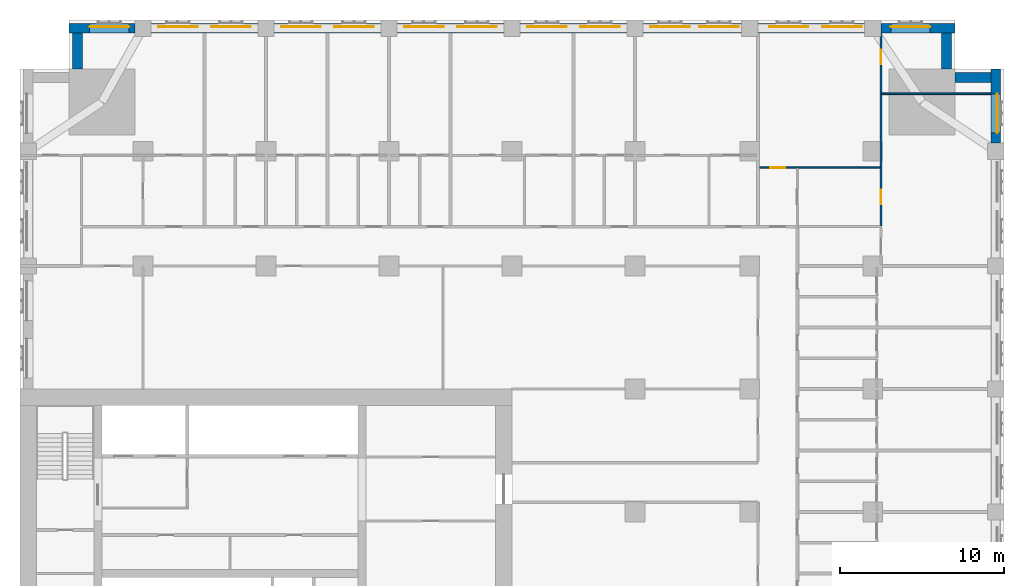
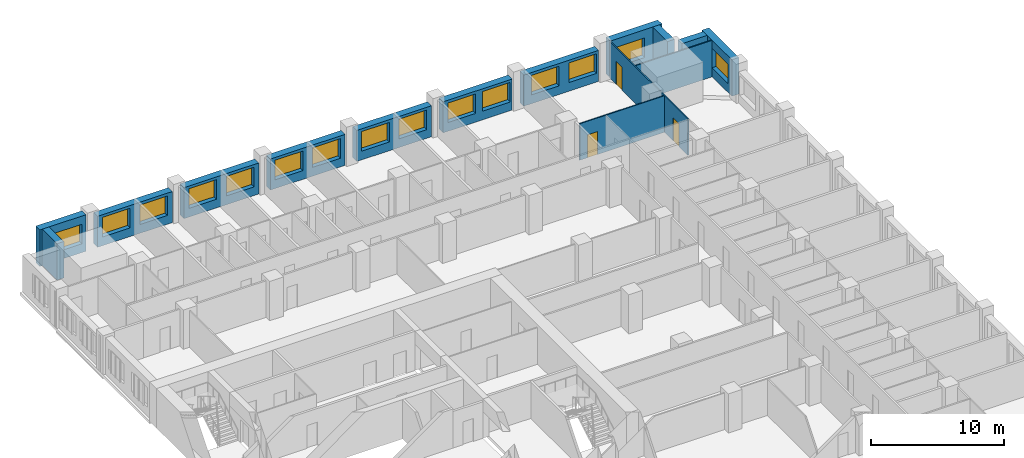
# One storey, part 12 of 15: 15 walls, 15 windows, 3 doors, 18 openings.
"""IFC4 building model written with IfcOpenShell, lengths in metres."""

from ifc_helpers import new_model, si_unit, direction, frame, frame_2d, origin, place, context, subcontext, project, spatial, rectangle, extrude, material, layer, layer_set, type_object, element, fill, save


model = new_model("IFC4")

# Units and contexts
model_context = context("Model", 3, precision=1e-05, world=origin(), true_north=direction((0.0, 1.0)))
body_context = subcontext(model_context, "Body", "Model", "MODEL_VIEW")
ifc_project = project(units=[si_unit("LENGTHUNIT", "METRE"), si_unit("AREAUNIT", "SQUARE_METRE"), si_unit("VOLUMEUNIT", "CUBIC_METRE"), si_unit("PLANEANGLEUNIT", "RADIAN"), si_unit("MASSUNIT", "GRAM", prefix="KILO")], contexts=[model_context])

# Site, building, storey
site_placement = place(None, origin())
site = spatial("IfcSite", under=ifc_project, at=site_placement, CompositionType="ELEMENT")
building_placement = place(site_placement, origin())
building = spatial("IfcBuilding", under=site, at=building_placement, Name="Tamorin Gate", CompositionType="ELEMENT")
storey_placement = place(building_placement, frame((0.0, 0.0, 48.39990234375)))
storey = spatial("IfcBuildingStorey", under=building, at=storey_placement, Name="L10", CompositionType="ELEMENT", Elevation=48.39990234375)

# Wall, opening, window
ifc_material_1 = material(Name="Precast concrete C40/50", Category="concrete")
ifc_layer_1 = layer(ifc_material_1, 0.60009765625)
ifc_layer_set_1 = layer_set([ifc_layer_1], Name="Precast concrete C40/50")
wall_type_1 = type_object("IfcWallType", Name="Board-marked concrete facade panel 600", PredefinedType="SOLIDWALL", material=ifc_layer_set_1)
wall_1_placement = place(storey_placement, frame((89.5, 97.5, 0.0), z_axis=(0.0, 0.0, 1.0), x_axis=(0.0, 1.0, 0.0)))
wall_1 = element("IfcWall", 1, at=wall_1_placement, inside=storey, type_object=wall_type_1, Name="Facade panel", PredefinedType="SOLIDWALL", context=body_context, shape_type="SweptSolid", body=[
    extrude(rectangle(XDim=4.5, YDim=0.60009765625, at=frame_2d((2.25, 0.0))), origin(), (0.0, 0.0, 1.0), 3.35009765625),
])
opening_1_placement = place(wall_1_placement, frame((0.60009765625, 0.0, 0.800048828125)))
opening_1 = element("IfcOpeningElement", 2, at=opening_1_placement, cuts=wall_1, Name="Opening WN1", PredefinedType="OPENING", context=body_context, shape_type="SweptSolid", body=[
    extrude(rectangle(XDim=2.39990234375, YDim=1.800048828125, at=frame_2d((1.199951171875, 0.89990234375))), frame((0.0, 0.31005859375, 0.0), z_axis=(0.0, -1.0, 0.0), x_axis=(1.0, 0.0, 0.0)), (0.0, 0.0, 1.0), 0.6201171875),
])
ifc_material_2 = material(Name="Clear glass in aluminium frame", Category="aluminium")
window_type = type_object("IfcWindowType", Name="Deep-set window 2400x1800", PartitioningType="SINGLE_PANEL", PredefinedType="WINDOW", material=ifc_material_2)
window_1_placement = place(opening_1_placement, origin())
window_1 = element("IfcWindow", 3, at=window_1_placement, inside=storey, type_object=window_type, Name="Deep-set window", OverallHeight=1.800048828125, OverallWidth=2.39990234375, PartitioningType="SINGLE_PANEL", PredefinedType="WINDOW", context=body_context, shape_type="SweptSolid", body=[
    extrude(rectangle(XDim=2.39990234375, YDim=1.800048828125, at=frame_2d((1.199951171875, 0.89990234375))), frame((0.0, -0.070068359375, 0.0), z_axis=(0.0, -1.0, 0.0), x_axis=(1.0, 0.0, 0.0)), (0.0, 0.0, 1.0), 0.06005859375),
])
fill(opening_1, window_1)

# Walls
for number, where, z_axis, x_axis, name in (
    (4, (89.199951171875, 101.5, 0.0), (0.0, 0.0, 1.0), (-1.0, 0.0, 0.0), "Facade panel"),
    (5, (86.5, 102.0, 0.0), (0.0, 0.0, 1.0), (0.0, 1.0, 0.0), "Facade panel"),
):
    element("IfcWall", number, at=place(storey_placement, frame(where, z_axis=z_axis, x_axis=x_axis)), inside=storey, type_object=wall_type_1, Name=name, PredefinedType="SOLIDWALL", context=body_context, shape_type="SweptSolid", body=[
        extrude(rectangle(XDim=2.199951171875, YDim=0.60009765625, at=frame_2d((1.10009765625, 0.0))), origin(), (0.0, 0.0, 1.0), 3.35009765625),
    ])

# Wall, opening, window
wall_2_placement = place(storey_placement, frame((87.0, 104.5, 0.0), z_axis=(0.0, 0.0, 1.0), x_axis=(-1.0, 0.0, 0.0)))
wall_2 = element("IfcWall", 6, at=wall_2_placement, inside=storey, type_object=wall_type_1, Name="Facade panel", PredefinedType="SOLIDWALL", context=body_context, shape_type="SweptSolid", body=[
    extrude(rectangle(XDim=4.5, YDim=0.60009765625, at=frame_2d((2.25, 0.0))), origin(), (0.0, 0.0, 1.0), 3.35009765625),
])
opening_2_placement = place(wall_2_placement, frame((1.5, 0.0, 0.800048828125)))
opening_2 = element("IfcOpeningElement", 7, at=opening_2_placement, cuts=wall_2, Name="Opening WN1", PredefinedType="OPENING", context=body_context, shape_type="SweptSolid", body=[
    extrude(rectangle(XDim=2.39990234375, YDim=1.800048828125, at=frame_2d((1.199951171875, 0.89990234375))), frame((0.0, 0.31005859375, 0.0), z_axis=(0.0, -1.0, 0.0), x_axis=(1.0, 0.0, 0.0)), (0.0, 0.0, 1.0), 0.6201171875),
])
window_2_placement = place(opening_2_placement, origin())
window_2 = element("IfcWindow", 8, at=window_2_placement, inside=storey, type_object=window_type, Name="Deep-set window", OverallHeight=1.800048828125, OverallWidth=2.39990234375, PartitioningType="SINGLE_PANEL", PredefinedType="WINDOW", context=body_context, shape_type="SweptSolid", body=[
    extrude(rectangle(XDim=2.39990234375, YDim=1.800048828125, at=frame_2d((1.199951171875, 0.89990234375))), frame((0.0, -0.070068359375, 0.0), z_axis=(0.0, -1.0, 0.0), x_axis=(1.0, 0.0, 0.0)), (0.0, 0.0, 1.0), 0.06005859375),
])
fill(opening_2, window_2)

# Wall, openings, windows
wall_3_placement = place(storey_placement, frame((81.5, 104.5, 0.0), z_axis=(0.0, 0.0, 1.0), x_axis=(-1.0, 0.0, 0.0)))
wall_3 = element("IfcWall", 9, at=wall_3_placement, inside=storey, type_object=wall_type_1, Name="Facade panel", PredefinedType="SOLIDWALL", context=body_context, shape_type="SweptSolid", body=[
    extrude(rectangle(XDim=6.5, YDim=0.60009765625, at=frame_2d((3.25, 0.0))), origin(), (0.0, 0.0, 1.0), 2.85009765625),
])
opening_3_placement = place(wall_3_placement, frame((3.425048828125, 0.0, 0.800048828125)))
opening_3 = element("IfcOpeningElement", 10, at=opening_3_placement, cuts=wall_3, Name="Opening WN1", PredefinedType="OPENING", context=body_context, shape_type="SweptSolid", body=[
    extrude(rectangle(XDim=2.39990234375, YDim=1.800048828125, at=frame_2d((1.199951171875, 0.89990234375))), frame((0.0, 0.31005859375, 0.0), z_axis=(0.0, -1.0, 0.0), x_axis=(1.0, 0.0, 0.0)), (0.0, 0.0, 1.0), 0.6201171875),
])
opening_4_placement = place(wall_3_placement, frame((0.175048828125, 0.0, 0.800048828125)))
opening_4 = element("IfcOpeningElement", 11, at=opening_4_placement, cuts=wall_3, Name="Opening WN1", PredefinedType="OPENING", context=body_context, shape_type="SweptSolid", body=[
    extrude(rectangle(XDim=2.39990234375, YDim=1.800048828125, at=frame_2d((1.199951171875, 0.89990234375))), frame((0.0, 0.31005859375, 0.0), z_axis=(0.0, -1.0, 0.0), x_axis=(1.0, 0.0, 0.0)), (0.0, 0.0, 1.0), 0.6201171875),
])
window_3_placement = place(opening_3_placement, origin())
window_3 = element("IfcWindow", 12, at=window_3_placement, inside=storey, type_object=window_type, Name="Deep-set window", OverallHeight=1.800048828125, OverallWidth=2.39990234375, PartitioningType="SINGLE_PANEL", PredefinedType="WINDOW", context=body_context, shape_type="SweptSolid", body=[
    extrude(rectangle(XDim=2.39990234375, YDim=1.800048828125, at=frame_2d((1.199951171875, 0.89990234375))), frame((0.0, -0.070068359375, 0.0), z_axis=(0.0, -1.0, 0.0), x_axis=(1.0, 0.0, 0.0)), (0.0, 0.0, 1.0), 0.06005859375),
])
fill(opening_3, window_3)
window_4_placement = place(opening_4_placement, origin())
window_4 = element("IfcWindow", 13, at=window_4_placement, inside=storey, type_object=window_type, Name="Deep-set window", OverallHeight=1.800048828125, OverallWidth=2.39990234375, PartitioningType="SINGLE_PANEL", PredefinedType="WINDOW", context=body_context, shape_type="SweptSolid", body=[
    extrude(rectangle(XDim=2.39990234375, YDim=1.800048828125, at=frame_2d((1.199951171875, 0.89990234375))), frame((0.0, -0.070068359375, 0.0), z_axis=(0.0, -1.0, 0.0), x_axis=(1.0, 0.0, 0.0)), (0.0, 0.0, 1.0), 0.06005859375),
])
fill(opening_4, window_4)

wall_4_placement = place(storey_placement, frame((74.0, 104.5, 0.0), z_axis=(0.0, 0.0, 1.0), x_axis=(-1.0, 0.0, 0.0)))
wall_4 = element("IfcWall", 14, at=wall_4_placement, inside=storey, type_object=wall_type_1, Name="Facade panel", PredefinedType="SOLIDWALL", context=body_context, shape_type="SweptSolid", body=[
    extrude(rectangle(XDim=6.0, YDim=0.60009765625, at=frame_2d((3.0, 0.0))), origin(), (0.0, 0.0, 1.0), 2.85009765625),
])
opening_5_placement = place(wall_4_placement, frame((3.175048828125, 0.0, 0.800048828125)))
opening_5 = element("IfcOpeningElement", 15, at=opening_5_placement, cuts=wall_4, Name="Opening WN1", PredefinedType="OPENING", context=body_context, shape_type="SweptSolid", body=[
    extrude(rectangle(XDim=2.39990234375, YDim=1.800048828125, at=frame_2d((1.199951171875, 0.89990234375))), frame((0.0, 0.31005859375, 0.0), z_axis=(0.0, -1.0, 0.0), x_axis=(1.0, 0.0, 0.0)), (0.0, 0.0, 1.0), 0.6201171875),
])
opening_6_placement = place(wall_4_placement, frame((0.175048828125, 0.0, 0.800048828125)))
opening_6 = element("IfcOpeningElement", 16, at=opening_6_placement, cuts=wall_4, Name="Opening WN1", PredefinedType="OPENING", context=body_context, shape_type="SweptSolid", body=[
    extrude(rectangle(XDim=2.39990234375, YDim=1.800048828125, at=frame_2d((1.199951171875, 0.89990234375))), frame((0.0, 0.31005859375, 0.0), z_axis=(0.0, -1.0, 0.0), x_axis=(1.0, 0.0, 0.0)), (0.0, 0.0, 1.0), 0.6201171875),
])
window_5_placement = place(opening_5_placement, origin())
window_5 = element("IfcWindow", 17, at=window_5_placement, inside=storey, type_object=window_type, Name="Deep-set window", OverallHeight=1.800048828125, OverallWidth=2.39990234375, PartitioningType="SINGLE_PANEL", PredefinedType="WINDOW", context=body_context, shape_type="SweptSolid", body=[
    extrude(rectangle(XDim=2.39990234375, YDim=1.800048828125, at=frame_2d((1.199951171875, 0.89990234375))), frame((0.0, -0.070068359375, 0.0), z_axis=(0.0, -1.0, 0.0), x_axis=(1.0, 0.0, 0.0)), (0.0, 0.0, 1.0), 0.06005859375),
])
fill(opening_5, window_5)
window_6_placement = place(opening_6_placement, origin())
window_6 = element("IfcWindow", 18, at=window_6_placement, inside=storey, type_object=window_type, Name="Deep-set window", OverallHeight=1.800048828125, OverallWidth=2.39990234375, PartitioningType="SINGLE_PANEL", PredefinedType="WINDOW", context=body_context, shape_type="SweptSolid", body=[
    extrude(rectangle(XDim=2.39990234375, YDim=1.800048828125, at=frame_2d((1.199951171875, 0.89990234375))), frame((0.0, -0.070068359375, 0.0), z_axis=(0.0, -1.0, 0.0), x_axis=(1.0, 0.0, 0.0)), (0.0, 0.0, 1.0), 0.06005859375),
])
fill(opening_6, window_6)

wall_5_placement = place(storey_placement, frame((67.0, 104.5, 0.0), z_axis=(0.0, 0.0, 1.0), x_axis=(-1.0, 0.0, 0.0)))
wall_5 = element("IfcWall", 19, at=wall_5_placement, inside=storey, type_object=wall_type_1, Name="Facade panel", PredefinedType="SOLIDWALL", context=body_context, shape_type="SweptSolid", body=[
    extrude(rectangle(XDim=6.5, YDim=0.60009765625, at=frame_2d((3.25, 0.0))), origin(), (0.0, 0.0, 1.0), 2.85009765625),
])
opening_7_placement = place(wall_5_placement, frame((3.675048828125, 0.0, 0.800048828125)))
opening_7 = element("IfcOpeningElement", 20, at=opening_7_placement, cuts=wall_5, Name="Opening WN1", PredefinedType="OPENING", context=body_context, shape_type="SweptSolid", body=[
    extrude(rectangle(XDim=2.39990234375, YDim=1.800048828125, at=frame_2d((1.199951171875, 0.89990234375))), frame((0.0, 0.31005859375, 0.0), z_axis=(0.0, -1.0, 0.0), x_axis=(1.0, 0.0, 0.0)), (0.0, 0.0, 1.0), 0.6201171875),
])
opening_8_placement = place(wall_5_placement, frame((0.425048828125, 0.0, 0.800048828125)))
opening_8 = element("IfcOpeningElement", 21, at=opening_8_placement, cuts=wall_5, Name="Opening WN1", PredefinedType="OPENING", context=body_context, shape_type="SweptSolid", body=[
    extrude(rectangle(XDim=2.39990234375, YDim=1.800048828125, at=frame_2d((1.199951171875, 0.89990234375))), frame((0.0, 0.31005859375, 0.0), z_axis=(0.0, -1.0, 0.0), x_axis=(1.0, 0.0, 0.0)), (0.0, 0.0, 1.0), 0.6201171875),
])
window_7_placement = place(opening_7_placement, origin())
window_7 = element("IfcWindow", 22, at=window_7_placement, inside=storey, type_object=window_type, Name="Deep-set window", OverallHeight=1.800048828125, OverallWidth=2.39990234375, PartitioningType="SINGLE_PANEL", PredefinedType="WINDOW", context=body_context, shape_type="SweptSolid", body=[
    extrude(rectangle(XDim=2.39990234375, YDim=1.800048828125, at=frame_2d((1.199951171875, 0.89990234375))), frame((0.0, -0.070068359375, 0.0), z_axis=(0.0, -1.0, 0.0), x_axis=(1.0, 0.0, 0.0)), (0.0, 0.0, 1.0), 0.06005859375),
])
fill(opening_7, window_7)
window_8_placement = place(opening_8_placement, origin())
window_8 = element("IfcWindow", 23, at=window_8_placement, inside=storey, type_object=window_type, Name="Deep-set window", OverallHeight=1.800048828125, OverallWidth=2.39990234375, PartitioningType="SINGLE_PANEL", PredefinedType="WINDOW", context=body_context, shape_type="SweptSolid", body=[
    extrude(rectangle(XDim=2.39990234375, YDim=1.800048828125, at=frame_2d((1.199951171875, 0.89990234375))), frame((0.0, -0.070068359375, 0.0), z_axis=(0.0, -1.0, 0.0), x_axis=(1.0, 0.0, 0.0)), (0.0, 0.0, 1.0), 0.06005859375),
])
fill(opening_8, window_8)

wall_6_placement = place(storey_placement, frame((59.5, 104.5, 0.0), z_axis=(0.0, 0.0, 1.0), x_axis=(-1.0, 0.0, 0.0)))
wall_6 = element("IfcWall", 24, at=wall_6_placement, inside=storey, type_object=wall_type_1, Name="Facade panel", PredefinedType="SOLIDWALL", context=body_context, shape_type="SweptSolid", body=[
    extrude(rectangle(XDim=6.5, YDim=0.60009765625, at=frame_2d((3.25, 0.0))), origin(), (0.0, 0.0, 1.0), 2.85009765625),
])
opening_9_placement = place(wall_6_placement, frame((3.675048828125, 0.0, 0.800048828125)))
opening_9 = element("IfcOpeningElement", 25, at=opening_9_placement, cuts=wall_6, Name="Opening WN1", PredefinedType="OPENING", context=body_context, shape_type="SweptSolid", body=[
    extrude(rectangle(XDim=2.39990234375, YDim=1.800048828125, at=frame_2d((1.199951171875, 0.89990234375))), frame((0.0, 0.31005859375, 0.0), z_axis=(0.0, -1.0, 0.0), x_axis=(1.0, 0.0, 0.0)), (0.0, 0.0, 1.0), 0.6201171875),
])
opening_10_placement = place(wall_6_placement, frame((0.425048828125, 0.0, 0.800048828125)))
opening_10 = element("IfcOpeningElement", 26, at=opening_10_placement, cuts=wall_6, Name="Opening WN1", PredefinedType="OPENING", context=body_context, shape_type="SweptSolid", body=[
    extrude(rectangle(XDim=2.39990234375, YDim=1.800048828125, at=frame_2d((1.199951171875, 0.89990234375))), frame((0.0, 0.31005859375, 0.0), z_axis=(0.0, -1.0, 0.0), x_axis=(1.0, 0.0, 0.0)), (0.0, 0.0, 1.0), 0.6201171875),
])
window_9_placement = place(opening_9_placement, origin())
window_9 = element("IfcWindow", 27, at=window_9_placement, inside=storey, type_object=window_type, Name="Deep-set window", OverallHeight=1.800048828125, OverallWidth=2.39990234375, PartitioningType="SINGLE_PANEL", PredefinedType="WINDOW", context=body_context, shape_type="SweptSolid", body=[
    extrude(rectangle(XDim=2.39990234375, YDim=1.800048828125, at=frame_2d((1.199951171875, 0.89990234375))), frame((0.0, -0.070068359375, 0.0), z_axis=(0.0, -1.0, 0.0), x_axis=(1.0, 0.0, 0.0)), (0.0, 0.0, 1.0), 0.06005859375),
])
fill(opening_9, window_9)
window_10_placement = place(opening_10_placement, origin())
window_10 = element("IfcWindow", 28, at=window_10_placement, inside=storey, type_object=window_type, Name="Deep-set window", OverallHeight=1.800048828125, OverallWidth=2.39990234375, PartitioningType="SINGLE_PANEL", PredefinedType="WINDOW", context=body_context, shape_type="SweptSolid", body=[
    extrude(rectangle(XDim=2.39990234375, YDim=1.800048828125, at=frame_2d((1.199951171875, 0.89990234375))), frame((0.0, -0.070068359375, 0.0), z_axis=(0.0, -1.0, 0.0), x_axis=(1.0, 0.0, 0.0)), (0.0, 0.0, 1.0), 0.06005859375),
])
fill(opening_10, window_10)

wall_7_placement = place(storey_placement, frame((52.0, 104.5, 0.0), z_axis=(0.0, 0.0, 1.0), x_axis=(-1.0, 0.0, 0.0)))
wall_7 = element("IfcWall", 29, at=wall_7_placement, inside=storey, type_object=wall_type_1, Name="Facade panel", PredefinedType="SOLIDWALL", context=body_context, shape_type="SweptSolid", body=[
    extrude(rectangle(XDim=6.5, YDim=0.60009765625, at=frame_2d((3.25, 0.0))), origin(), (0.0, 0.0, 1.0), 2.85009765625),
])
opening_11_placement = place(wall_7_placement, frame((3.675048828125, 0.0, 0.800048828125)))
opening_11 = element("IfcOpeningElement", 30, at=opening_11_placement, cuts=wall_7, Name="Opening WN1", PredefinedType="OPENING", context=body_context, shape_type="SweptSolid", body=[
    extrude(rectangle(XDim=2.39990234375, YDim=1.800048828125, at=frame_2d((1.199951171875, 0.89990234375))), frame((0.0, 0.31005859375, 0.0), z_axis=(0.0, -1.0, 0.0), x_axis=(1.0, 0.0, 0.0)), (0.0, 0.0, 1.0), 0.6201171875),
])
opening_12_placement = place(wall_7_placement, frame((0.425048828125, 0.0, 0.800048828125)))
opening_12 = element("IfcOpeningElement", 31, at=opening_12_placement, cuts=wall_7, Name="Opening WN1", PredefinedType="OPENING", context=body_context, shape_type="SweptSolid", body=[
    extrude(rectangle(XDim=2.39990234375, YDim=1.800048828125, at=frame_2d((1.199951171875, 0.89990234375))), frame((0.0, 0.31005859375, 0.0), z_axis=(0.0, -1.0, 0.0), x_axis=(1.0, 0.0, 0.0)), (0.0, 0.0, 1.0), 0.6201171875),
])
window_11_placement = place(opening_11_placement, origin())
window_11 = element("IfcWindow", 32, at=window_11_placement, inside=storey, type_object=window_type, Name="Deep-set window", OverallHeight=1.800048828125, OverallWidth=2.39990234375, PartitioningType="SINGLE_PANEL", PredefinedType="WINDOW", context=body_context, shape_type="SweptSolid", body=[
    extrude(rectangle(XDim=2.39990234375, YDim=1.800048828125, at=frame_2d((1.199951171875, 0.89990234375))), frame((0.0, -0.070068359375, 0.0), z_axis=(0.0, -1.0, 0.0), x_axis=(1.0, 0.0, 0.0)), (0.0, 0.0, 1.0), 0.06005859375),
])
fill(opening_11, window_11)
window_12_placement = place(opening_12_placement, origin())
window_12 = element("IfcWindow", 33, at=window_12_placement, inside=storey, type_object=window_type, Name="Deep-set window", OverallHeight=1.800048828125, OverallWidth=2.39990234375, PartitioningType="SINGLE_PANEL", PredefinedType="WINDOW", context=body_context, shape_type="SweptSolid", body=[
    extrude(rectangle(XDim=2.39990234375, YDim=1.800048828125, at=frame_2d((1.199951171875, 0.89990234375))), frame((0.0, -0.070068359375, 0.0), z_axis=(0.0, -1.0, 0.0), x_axis=(1.0, 0.0, 0.0)), (0.0, 0.0, 1.0), 0.06005859375),
])
fill(opening_12, window_12)

wall_8_placement = place(storey_placement, frame((44.5, 104.5, 0.0), z_axis=(0.0, 0.0, 1.0), x_axis=(-1.0, 0.0, 0.0)))
wall_8 = element("IfcWall", 34, at=wall_8_placement, inside=storey, type_object=wall_type_1, Name="Facade panel", PredefinedType="SOLIDWALL", context=body_context, shape_type="SweptSolid", body=[
    extrude(rectangle(XDim=6.5, YDim=0.60009765625, at=frame_2d((3.25, 0.0))), origin(), (0.0, 0.0, 1.0), 2.85009765625),
])
opening_13_placement = place(wall_8_placement, frame((3.675048828125, 0.0, 0.800048828125)))
opening_13 = element("IfcOpeningElement", 35, at=opening_13_placement, cuts=wall_8, Name="Opening WN1", PredefinedType="OPENING", context=body_context, shape_type="SweptSolid", body=[
    extrude(rectangle(XDim=2.39990234375, YDim=1.800048828125, at=frame_2d((1.199951171875, 0.89990234375))), frame((0.0, 0.31005859375, 0.0), z_axis=(0.0, -1.0, 0.0), x_axis=(1.0, 0.0, 0.0)), (0.0, 0.0, 1.0), 0.6201171875),
])
opening_14_placement = place(wall_8_placement, frame((0.425048828125, 0.0, 0.800048828125)))
opening_14 = element("IfcOpeningElement", 36, at=opening_14_placement, cuts=wall_8, Name="Opening WN1", PredefinedType="OPENING", context=body_context, shape_type="SweptSolid", body=[
    extrude(rectangle(XDim=2.39990234375, YDim=1.800048828125, at=frame_2d((1.199951171875, 0.89990234375))), frame((0.0, 0.31005859375, 0.0), z_axis=(0.0, -1.0, 0.0), x_axis=(1.0, 0.0, 0.0)), (0.0, 0.0, 1.0), 0.6201171875),
])
window_13_placement = place(opening_13_placement, origin())
window_13 = element("IfcWindow", 37, at=window_13_placement, inside=storey, type_object=window_type, Name="Deep-set window", OverallHeight=1.800048828125, OverallWidth=2.39990234375, PartitioningType="SINGLE_PANEL", PredefinedType="WINDOW", context=body_context, shape_type="SweptSolid", body=[
    extrude(rectangle(XDim=2.39990234375, YDim=1.800048828125, at=frame_2d((1.199951171875, 0.89990234375))), frame((0.0, -0.070068359375, 0.0), z_axis=(0.0, -1.0, 0.0), x_axis=(1.0, 0.0, 0.0)), (0.0, 0.0, 1.0), 0.06005859375),
])
fill(opening_13, window_13)
window_14_placement = place(opening_14_placement, origin())
window_14 = element("IfcWindow", 38, at=window_14_placement, inside=storey, type_object=window_type, Name="Deep-set window", OverallHeight=1.800048828125, OverallWidth=2.39990234375, PartitioningType="SINGLE_PANEL", PredefinedType="WINDOW", context=body_context, shape_type="SweptSolid", body=[
    extrude(rectangle(XDim=2.39990234375, YDim=1.800048828125, at=frame_2d((1.199951171875, 0.89990234375))), frame((0.0, -0.070068359375, 0.0), z_axis=(0.0, -1.0, 0.0), x_axis=(1.0, 0.0, 0.0)), (0.0, 0.0, 1.0), 0.06005859375),
])
fill(opening_14, window_14)

# Wall, opening, window
wall_9_placement = place(storey_placement, frame((37.0, 104.5, 0.0), z_axis=(0.0, 0.0, 1.0), x_axis=(-1.0, 0.0, 0.0)))
wall_9 = element("IfcWall", 39, at=wall_9_placement, inside=storey, type_object=wall_type_1, Name="Facade panel", PredefinedType="SOLIDWALL", context=body_context, shape_type="SweptSolid", body=[
    extrude(rectangle(XDim=4.0, YDim=0.60009765625, at=frame_2d((2.0, 0.0))), origin(), (0.0, 0.0, 1.0), 3.35009765625),
])
opening_15_placement = place(wall_9_placement, frame((0.35009765625, 0.0, 0.800048828125)))
opening_15 = element("IfcOpeningElement", 40, at=opening_15_placement, cuts=wall_9, Name="Opening WN1", PredefinedType="OPENING", context=body_context, shape_type="SweptSolid", body=[
    extrude(rectangle(XDim=2.39990234375, YDim=1.800048828125, at=frame_2d((1.199951171875, 0.89990234375))), frame((0.0, 0.31005859375, 0.0), z_axis=(0.0, -1.0, 0.0), x_axis=(1.0, 0.0, 0.0)), (0.0, 0.0, 1.0), 0.6201171875),
])
window_15_placement = place(opening_15_placement, origin())
window_15 = element("IfcWindow", 41, at=window_15_placement, inside=storey, type_object=window_type, Name="Deep-set window", OverallHeight=1.800048828125, OverallWidth=2.39990234375, PartitioningType="SINGLE_PANEL", PredefinedType="WINDOW", context=body_context, shape_type="SweptSolid", body=[
    extrude(rectangle(XDim=2.39990234375, YDim=1.800048828125, at=frame_2d((1.199951171875, 0.89990234375))), frame((0.0, -0.070068359375, 0.0), z_axis=(0.0, -1.0, 0.0), x_axis=(1.0, 0.0, 0.0)), (0.0, 0.0, 1.0), 0.06005859375),
])
fill(opening_15, window_15)

# Wall
wall_10_placement = place(storey_placement, frame((33.5, 104.199951171875, 0.0), z_axis=(0.0, 0.0, 1.0), x_axis=(0.0, -1.0, 0.0)))
element("IfcWall", 42, at=wall_10_placement, inside=storey, type_object=wall_type_1, Name="Facade panel", PredefinedType="SOLIDWALL", context=body_context, shape_type="SweptSolid", body=[
    extrude(rectangle(XDim=2.199951171875, YDim=0.60009765625, at=frame_2d((1.10009765625, 0.0))), origin(), (0.0, 0.0, 1.0), 3.35009765625),
])

# Wall, opening, door
ifc_material_3 = material(Name="Gypsum board partition")
ifc_layer_2 = layer(ifc_material_3, 0.10009765625)
ifc_layer_set_2 = layer_set([ifc_layer_2], Name="Room partition 100")
wall_type_2 = type_object("IfcWallType", Name="Room partition 100", PredefinedType="PARTITIONING", material=ifc_layer_set_2)
wall_11_placement = place(storey_placement, frame((75.10009765625, 96.0, 0.0), z_axis=(0.0, 0.0, 1.0), x_axis=(1.0, 0.0, 0.0)))
wall_11 = element("IfcWall", 43, at=wall_11_placement, inside=storey, type_object=wall_type_2, Name="Room partition 100", PredefinedType="PARTITIONING", context=body_context, shape_type="SweptSolid", body=[
    extrude(rectangle(XDim=7.349853515625, YDim=0.10009765625, at=frame_2d((3.6748046875, 0.0))), origin(), (0.0, 0.0, 1.0), 3.35009765625),
])
opening_16_placement = place(wall_11_placement, frame((0.64990234375, 0.0, 0.0)))
opening_16 = element("IfcOpeningElement", 44, at=opening_16_placement, cuts=wall_11, Name="Opening DH1088", PredefinedType="OPENING", context=body_context, shape_type="SweptSolid", body=[
    extrude(rectangle(XDim=0.89990234375, YDim=2.10009765625, at=frame_2d((0.449951171875, 1.050048828125))), frame((0.0, 0.06005859375, 0.0), z_axis=(0.0, -1.0, 0.0), x_axis=(1.0, 0.0, 0.0)), (0.0, 0.0, 1.0), 0.1201171875),
])
ifc_material_4 = material(Name="Timber door leaf", Category="wood")
door_type = type_object("IfcDoorType", Name="Door 900 x 2100", OperationType="NOTDEFINED", PredefinedType="DOOR", material=ifc_material_4)
door_1_placement = place(opening_16_placement, origin())
door_1 = element("IfcDoor", 45, at=door_1_placement, inside=storey, type_object=door_type, Name="Door DH1088", OperationType="SINGLE_SWING_LEFT", OverallHeight=2.10009765625, OverallWidth=0.89990234375, PredefinedType="DOOR", context=body_context, shape_type="SweptSolid", body=[
    extrude(rectangle(XDim=0.89990234375, YDim=2.10009765625, at=frame_2d((0.449951171875, 1.050048828125))), frame((0.0, 0.02490234375, 0.0), z_axis=(0.0, -1.0, 0.0), x_axis=(1.0, 0.0, 0.0)), (0.0, 0.0, 1.0), 0.050048828125),
])
fill(opening_16, door_1)

# Wall
wall_12_placement = place(storey_placement, frame((82.550048828125, 100.5, 0.0), z_axis=(0.0, 0.0, 1.0), x_axis=(1.0, 0.0, 0.0)))
element("IfcWall", 46, at=wall_12_placement, inside=storey, type_object=wall_type_2, Name="Room partition 100", PredefinedType="PARTITIONING", context=body_context, shape_type="SweptSolid", body=[
    extrude(rectangle(XDim=6.639892578125, YDim=0.10009765625, at=frame_2d((3.31982421875, 0.0))), origin(), (0.0, 0.0, 1.0), 3.35009765625),
])

# Wall, openings, doors
wall_13_placement = place(storey_placement, frame((82.5, 92.46240234375, 0.0), z_axis=(0.0, 0.0, 1.0), x_axis=(0.0, 1.0, 0.0)))
wall_13 = element("IfcWall", 47, at=wall_13_placement, inside=storey, type_object=wall_type_2, Name="Room partition 100", PredefinedType="PARTITIONING", context=body_context, shape_type="SweptSolid", body=[
    extrude(rectangle(XDim=11.7275390625, YDim=0.10009765625, at=frame_2d((5.86376953125, 0.0))), origin(), (0.0, 0.0, 1.0), 3.35009765625),
])
opening_17_placement = place(wall_13_placement, frame((9.83740234375, 0.0, 0.0)))
opening_17 = element("IfcOpeningElement", 48, at=opening_17_placement, cuts=wall_13, Name="Opening DH1090", PredefinedType="OPENING", context=body_context, shape_type="SweptSolid", body=[
    extrude(rectangle(XDim=0.89990234375, YDim=2.10009765625, at=frame_2d((0.449951171875, 1.050048828125))), frame((0.0, 0.06005859375, 0.0), z_axis=(0.0, -1.0, 0.0), x_axis=(1.0, 0.0, 0.0)), (0.0, 0.0, 1.0), 0.1201171875),
])
opening_18_placement = place(wall_13_placement, frame((1.28759765625, 0.0, 0.0)))
opening_18 = element("IfcOpeningElement", 49, at=opening_18_placement, cuts=wall_13, Name="Opening DH1091", PredefinedType="OPENING", context=body_context, shape_type="SweptSolid", body=[
    extrude(rectangle(XDim=0.89990234375, YDim=2.10009765625, at=frame_2d((0.449951171875, 1.050048828125))), frame((0.0, 0.06005859375, 0.0), z_axis=(0.0, -1.0, 0.0), x_axis=(1.0, 0.0, 0.0)), (0.0, 0.0, 1.0), 0.1201171875),
])
door_2_placement = place(opening_17_placement, origin())
door_2 = element("IfcDoor", 50, at=door_2_placement, inside=storey, type_object=door_type, Name="Door DH1090", OperationType="SINGLE_SWING_LEFT", OverallHeight=2.10009765625, OverallWidth=0.89990234375, PredefinedType="DOOR", context=body_context, shape_type="SweptSolid", body=[
    extrude(rectangle(XDim=0.89990234375, YDim=2.10009765625, at=frame_2d((0.449951171875, 1.050048828125))), frame((0.0, 0.02490234375, 0.0), z_axis=(0.0, -1.0, 0.0), x_axis=(1.0, 0.0, 0.0)), (0.0, 0.0, 1.0), 0.050048828125),
])
fill(opening_17, door_2)
door_3_placement = place(opening_18_placement, origin())
door_3 = element("IfcDoor", 51, at=door_3_placement, inside=storey, type_object=door_type, Name="Door DH1091", OperationType="SINGLE_SWING_RIGHT", OverallHeight=2.10009765625, OverallWidth=0.89990234375, PredefinedType="DOOR", context=body_context, shape_type="SweptSolid", body=[
    extrude(rectangle(XDim=0.89990234375, YDim=2.10009765625, at=frame_2d((0.449951171875, 1.050048828125))), frame((0.0, 0.02490234375, 0.0), z_axis=(0.0, -1.0, 0.0), x_axis=(1.0, 0.0, 0.0)), (0.0, 0.0, 1.0), 0.050048828125),
])
fill(opening_18, door_3)

save(model, "model.ifc")
